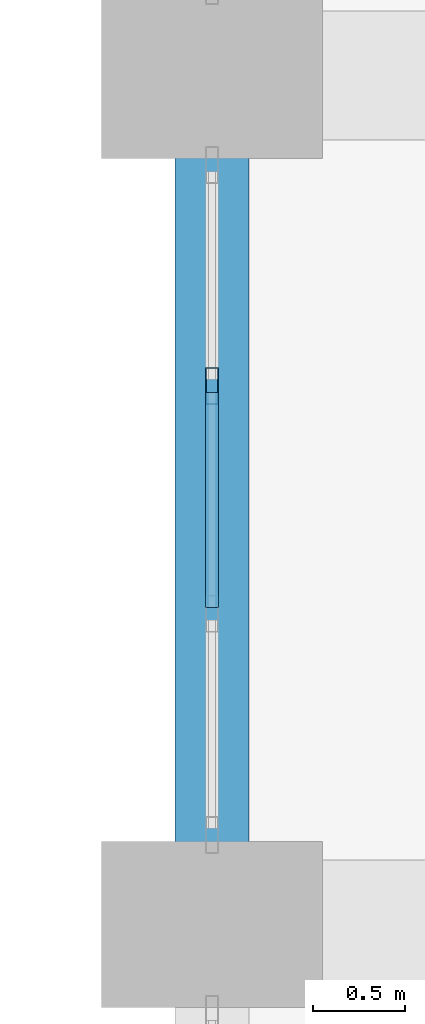
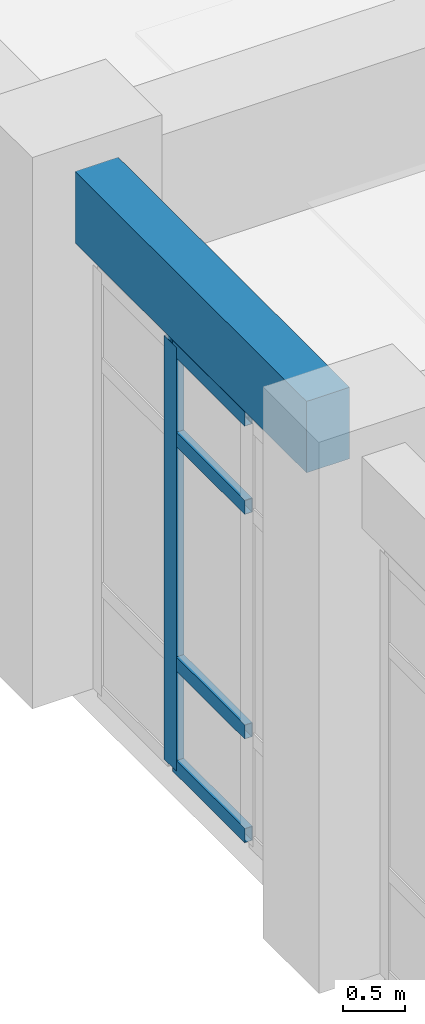
# One storey, part 22 of 84: 5 members, 1 beam, 1 element without a shape of its own.
"""IFC4 building model written with IfcOpenShell, lengths in metres."""

from ifc_helpers import new_model, si_unit, direction, frame, origin, origin_2d, place, context, subcontext, project, spatial, rectangle, hollow_rectangle, extrude, material, layer, layer_set, material_profile, profile_set, type_object, element, aggregate, save


model = new_model("IFC4")

# Units and contexts
model_context = context("Model", 3, precision=1e-05, world=origin(), true_north=direction((0.0, 1.0)))
body_context = subcontext(model_context, "Body", "Model", "MODEL_VIEW")
ifc_project = project(units=[si_unit("LENGTHUNIT", "METRE"), si_unit("AREAUNIT", "SQUARE_METRE"), si_unit("VOLUMEUNIT", "CUBIC_METRE"), si_unit("PLANEANGLEUNIT", "RADIAN"), si_unit("MASSUNIT", "GRAM", prefix="KILO")], contexts=[model_context])

# Site, building, storey
site_placement = place(None, origin())
site = spatial("IfcSite", under=ifc_project, at=site_placement, CompositionType="ELEMENT")
building_placement = place(site_placement, origin())
building = spatial("IfcBuilding", under=site, at=building_placement, Name="Muzn Square Opera House", CompositionType="ELEMENT")
storey_placement = place(building_placement, origin())
storey = spatial("IfcBuildingStorey", under=building, at=storey_placement, Name="L00", CompositionType="ELEMENT", Elevation=0.0)

# Curtain wall, members
ifc_material_1 = material(Name="Low-E laminated acoustic double glazing", Category="glass")
ifc_layer = layer(ifc_material_1, 0.159912109375, Name="Low-E laminated acoustic double glazing", Category="glass")
ifc_layer_set = layer_set([ifc_layer], Name="Low-E laminated acoustic double glazing")
curtain_wall_type = type_object("IfcCurtainWallType", Name="Glazed Curtain Wall WestVaultCourt 3700x4150", PredefinedType="USERDEFINED", material=ifc_layer_set)
curtain_wall_placement = place(storey_placement, origin())
curtain_wall = element("IfcCurtainWall", 1, at=curtain_wall_placement, inside=storey, type_object=curtain_wall_type, Name="Glazed Curtain Wall CW-L00-035", ObjectType="GLAZED CURTAIN WALL", PredefinedType="USERDEFINED")
ifc_material_2 = material(Name="Anodised bronze aluminium 6063-T6", Category="metal")
ifc_material_profile_1 = material_profile(ifc_material_2, hollow_rectangle(XDim=0.070068359375, YDim=0.199951171875, WallThickness=0.0048828125, at=origin_2d()), Name="ALU 200x70x5", Category="metal")
ifc_profile_set_1 = profile_set([ifc_material_profile_1], Name="Anodised bronze aluminium 6063-T6")
member_type_1 = type_object("IfcMemberType", Name="Curtain Wall Mullion 200x70", PredefinedType="MULLION", material=ifc_profile_set_1)
member_1_placement = place(storey_placement, frame((43.0, 47.916748046875, 0.0), z_axis=(0.0, 0.0, 1.0), x_axis=(-1.0, 0.0, 0.0)))
member_1 = element("IfcMember", 2, at=member_1_placement, type_object=member_type_1, Name="CW-WVC-37x41 mullion 3", PredefinedType="MULLION", context=body_context, shape_type="SweptSolid", body=[
    extrude(hollow_rectangle(XDim=0.070068359375, YDim=0.199951171875, WallThickness=0.0048828125, at=origin_2d()), origin(), (0.0, 0.0, 1.0), 4.14990234375),
])
ifc_material_profile_2 = material_profile(ifc_material_2, hollow_rectangle(XDim=0.070068359375, YDim=0.139892578125, WallThickness=0.00390625, at=origin_2d()), Name="ALU 140x70x4", Category="metal")
ifc_profile_set_2 = profile_set([ifc_material_profile_2], Name="Anodised bronze aluminium 6063-T6")
member_type_2 = type_object("IfcMemberType", Name="Curtain Wall Transom 140x70", PredefinedType="USERDEFINED", material=ifc_profile_set_2)
member_2_placement = place(storey_placement, frame((43.0, 46.71826171875, 0.034912109375), z_axis=(0.0, 1.0, 0.0), x_axis=(-1.0, 0.0, 0.0)))
member_2 = element("IfcMember", 3, at=member_2_placement, type_object=member_type_2, Name="CW-WVC-37x41 transom 2.1", ObjectType="TRANSOM", PredefinedType="USERDEFINED", context=body_context, shape_type="SweptSolid", body=[
    extrude(hollow_rectangle(XDim=0.070068359375, YDim=0.139892578125, WallThickness=0.00390625, at=origin_2d()), origin(), (0.0, 0.0, 1.0), 1.163330078125),
])
member_3_placement = place(storey_placement, frame((43.0, 46.71826171875, 1.050048828125), z_axis=(0.0, 1.0, 0.0), x_axis=(-1.0, 0.0, 0.0)))
member_3 = element("IfcMember", 4, at=member_3_placement, type_object=member_type_2, Name="CW-WVC-37x41 transom 2.2", ObjectType="TRANSOM", PredefinedType="USERDEFINED", context=body_context, shape_type="SweptSolid", body=[
    extrude(hollow_rectangle(XDim=0.070068359375, YDim=0.139892578125, WallThickness=0.00390625, at=origin_2d()), origin(), (0.0, 0.0, 1.0), 1.163330078125),
])
member_4_placement = place(storey_placement, frame((43.0, 46.71826171875, 3.25), z_axis=(0.0, 1.0, 0.0), x_axis=(-1.0, 0.0, 0.0)))
member_4 = element("IfcMember", 5, at=member_4_placement, type_object=member_type_2, Name="CW-WVC-37x41 transom 2.3", ObjectType="TRANSOM", PredefinedType="USERDEFINED", context=body_context, shape_type="SweptSolid", body=[
    extrude(hollow_rectangle(XDim=0.070068359375, YDim=0.139892578125, WallThickness=0.00390625, at=origin_2d()), origin(), (0.0, 0.0, 1.0), 1.163330078125),
])
member_5_placement = place(storey_placement, frame((43.0, 46.71826171875, 4.114990234375), z_axis=(0.0, 1.0, 0.0), x_axis=(-1.0, 0.0, 0.0)))
member_5 = element("IfcMember", 6, at=member_5_placement, type_object=member_type_2, Name="CW-WVC-37x41 transom 2.4", ObjectType="TRANSOM", PredefinedType="USERDEFINED", context=body_context, shape_type="SweptSolid", body=[
    extrude(hollow_rectangle(XDim=0.070068359375, YDim=0.139892578125, WallThickness=0.00390625, at=origin_2d()), origin(), (0.0, 0.0, 1.0), 1.163330078125),
])
aggregate(curtain_wall, [member_1, member_2, member_3, member_4, member_5])

# Beam
ifc_material_3 = material(Name="Concrete C40/50", Category="concrete")
ifc_material_profile_3 = material_profile(ifc_material_3, rectangle(XDim=0.39990234375, YDim=0.699951171875, at=origin_2d()), Name="RCB 400x700", Category="concrete")
ifc_profile_set_3 = profile_set([ifc_material_profile_3], Name="Concrete C40/50")
beam_type = type_object("IfcBeamType", Name="Primary Girder 400x700", PredefinedType="BEAM", material=ifc_profile_set_3)
beam_placement = place(storey_placement, frame((43.0, 45.44189453125, 4.77001953125), z_axis=(0.0, 1.0, 0.0), x_axis=(-1.0, 0.0, 0.0)))
element("IfcBeam", 7, at=beam_placement, inside=storey, type_object=beam_type, Name="Primary Girder BM-L00-BM-PG700-430_454_430_492-1028", PredefinedType="BEAM", context=body_context, shape_type="SweptSolid", body=[
    extrude(rectangle(XDim=0.39990234375, YDim=0.699951171875, at=origin_2d()), origin(), (0.0, 0.0, 1.0), 3.716064453125),
])

save(model, "model.ifc")
